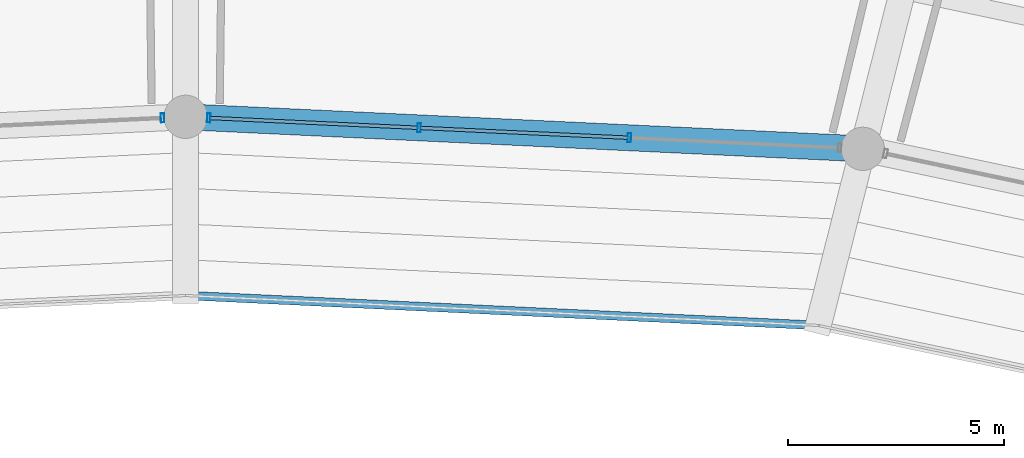
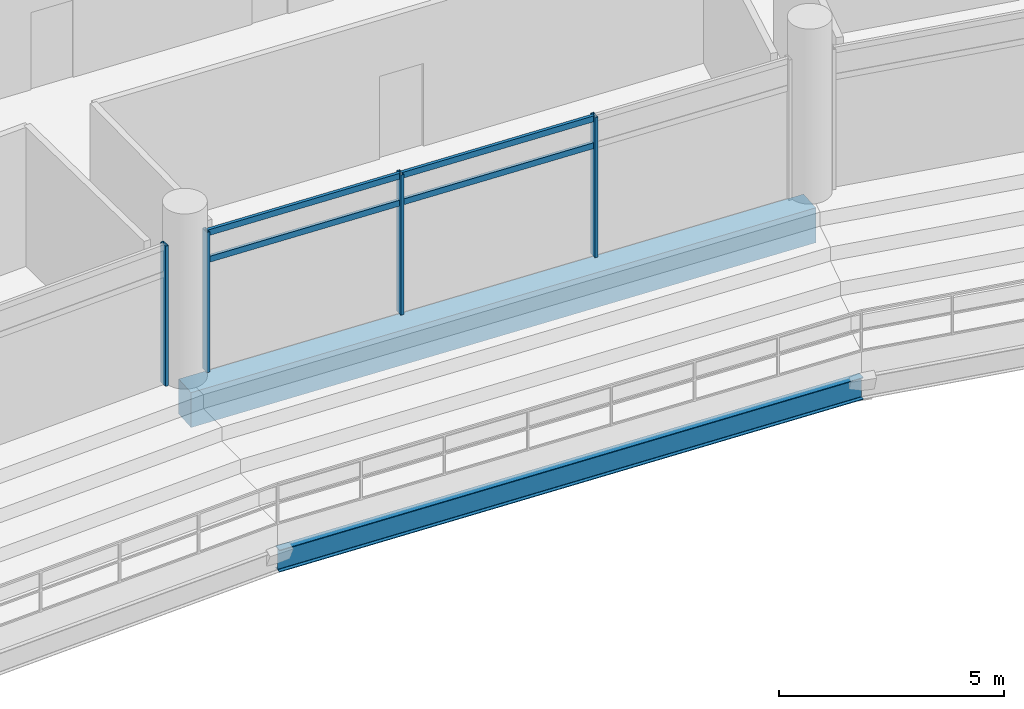
# One storey, part 95 of 171: 8 members, 2 beams, 2 elements without a shape of their own.
"""IFC4 building model written with IfcOpenShell, lengths in metres."""

from ifc_helpers import new_model, si_unit, direction, frame, origin, origin_2d, place, context, subcontext, project, spatial, rectangle, hollow_rectangle, i_section, extrude, material, layer, layer_set, material_profile, profile_set, type_object, element, aggregate, save


model = new_model("IFC4")

# Units and contexts
model_context = context("Model", 3, precision=1e-05, world=origin(), true_north=direction((0.0, 1.0)))
body_context = subcontext(model_context, "Body", "Model", "MODEL_VIEW")
ifc_project = project(units=[si_unit("LENGTHUNIT", "METRE"), si_unit("AREAUNIT", "SQUARE_METRE"), si_unit("VOLUMEUNIT", "CUBIC_METRE"), si_unit("PLANEANGLEUNIT", "RADIAN"), si_unit("MASSUNIT", "GRAM", prefix="KILO")], contexts=[model_context])

# Site, building, storey
site_placement = place(None, origin())
site = spatial("IfcSite", under=ifc_project, at=site_placement, CompositionType="ELEMENT")
building_placement = place(site_placement, origin())
building = spatial("IfcBuilding", under=site, at=building_placement, Name="Kazemori Nagisa Stadium", CompositionType="ELEMENT")
storey_placement = place(building_placement, frame((0.0, 0.0, 15.639892578125)))
storey = spatial("IfcBuildingStorey", under=building, at=storey_placement, Name="L03", CompositionType="ELEMENT", Elevation=15.639892578125)

# Beams
ifc_material_1 = material(Name="Concrete C40/50 (Fc42)", Category="concrete")
ifc_material_profile_1 = material_profile(ifc_material_1, rectangle(XDim=0.60009765625, YDim=0.949951171875, at=origin_2d()), Name="RC-BM-600x950")
ifc_profile_set_1 = profile_set([ifc_material_profile_1], Name="Concrete C40/50 (Fc42)")
beam_type_1 = type_object("IfcBeamType", Name="Beam_BG-RC600X950", PredefinedType="BEAM", material=ifc_profile_set_1)
beam_1_placement = place(storey_placement, frame((138.64208984375, 164.040283203125, -0.73486328125), z_axis=(-0.998883604512, 0.047239227746, 0.0), x_axis=(-0.047239227746, -0.998883604512, 0.0)))
element("IfcBeam", 1, at=beam_1_placement, inside=storey, type_object=beam_type_1, Name="Ring girder BG-RC600X950 L03 R1-07", PredefinedType="BEAM", context=body_context, shape_type="SweptSolid", body=[
    extrude(rectangle(XDim=0.60009765625, YDim=0.949951171875, at=origin_2d()), origin(), (0.0, 0.0, 1.0), 15.65966796875),
])
ifc_material_2 = material(Name="Steel SN490B", Category="steel")
ifc_material_profile_2 = material_profile(ifc_material_2, i_section(OverallWidth=0.199951171875, OverallDepth=0.60009765625, WebThickness=0.010986328125, FlangeThickness=0.01708984375, FilletRadius=0.012939453125, at=origin_2d()), Name="H-600x200x11x17")
ifc_profile_set_2 = profile_set([ifc_material_profile_2], Name="Steel SN490B")
beam_type_2 = type_object("IfcBeamType", Name="Beam_BS-H600", PredefinedType="SPANDREL", material=ifc_profile_set_2)
beam_2_placement = place(storey_placement, frame((137.61376953125, 159.9609375, -2.46484375), z_axis=(-0.99888345174, 0.047242458015, 0.0), x_axis=(-0.047242458015, -0.99888345174, 0.0)))
element("IfcBeam", 2, at=beam_2_placement, inside=storey, type_object=beam_type_2, Name="Club tier front edge beam 07", PredefinedType="SPANDREL", context=body_context, shape_type="SweptSolid", body=[
    extrude(i_section(OverallWidth=0.199951171875, OverallDepth=0.60009765625, WebThickness=0.010986328125, FlangeThickness=0.01708984375, FilletRadius=0.012939453125, at=origin_2d()), origin(), (0.0, 0.0, 1.0), 14.630126953125),
])

# Curtain wall, members
ifc_material_3 = material(Name="Anodised aluminium 6063-T5", Category="aluminium")
ifc_layer = layer(ifc_material_3, 0.2099609375, Name="Anodised aluminium 6063-T5", Category="aluminium")
ifc_layer_set = layer_set([ifc_layer], Name="Anodised aluminium 6063-T5")
curtain_wall_type = type_object("IfcCurtainWallType", Name="CW_L03B_73", PredefinedType="USERDEFINED", material=ifc_layer_set)
curtain_wall_1_placement = place(storey_placement, origin())
curtain_wall_1 = element("IfcCurtainWall", 3, at=curtain_wall_1_placement, inside=storey, type_object=curtain_wall_type, Name="Unitised curtain wall CW-L03B-73 L03", ObjectType="UNITISED CURTAIN WALL", PredefinedType="USERDEFINED")
ifc_material_4 = material(Name="Aluminium 6063-T5 anodised", Category="aluminium")
ifc_material_profile_3 = material_profile(ifc_material_4, hollow_rectangle(XDim=0.080078125, YDim=0.2099609375, WallThickness=0.0048828125, at=origin_2d()), Name="ALU-MULL-80x210x5")
ifc_profile_set_3 = profile_set([ifc_material_profile_3], Name="Aluminium 6063-T5 anodised")
member_type_1 = type_object("IfcMemberType", Name="Mullion_M02", PredefinedType="MULLION", material=ifc_profile_set_3)
member_1_placement = place(storey_placement, frame((133.25, 164.29541015625, 0.0), z_axis=(0.0, 0.0, 1.0), x_axis=(-0.998884022476, 0.047230388971, 0.0)))
member_1 = element("IfcMember", 4, at=member_1_placement, type_object=member_type_1, Name="Curtain wall mullion CW-L03B-73-M2", PredefinedType="MULLION", context=body_context, shape_type="SweptSolid", body=[
    extrude(hollow_rectangle(XDim=0.080078125, YDim=0.2099609375, WallThickness=0.0048828125, at=origin_2d()), origin(), (0.0, 0.0, 1.0), 3.81005859375),
])
member_2_placement = place(storey_placement, frame((128.39208984375, 164.525146484375, 0.0), z_axis=(0.0, 0.0, 1.0), x_axis=(-0.998884022476, 0.047230388971, 0.0)))
member_2 = element("IfcMember", 5, at=member_2_placement, type_object=member_type_1, Name="Curtain wall mullion CW-L03B-73-M3", PredefinedType="MULLION", context=body_context, shape_type="SweptSolid", body=[
    extrude(hollow_rectangle(XDim=0.080078125, YDim=0.2099609375, WallThickness=0.0048828125, at=origin_2d()), origin(), (0.0, 0.0, 1.0), 3.81005859375),
])
member_3_placement = place(storey_placement, frame((123.534423828125, 164.754638671875, 0.0), z_axis=(0.0, 0.0, 1.0), x_axis=(-0.998884022476, 0.047230388971, 0.0)))
member_3 = element("IfcMember", 6, at=member_3_placement, type_object=member_type_1, Name="Curtain wall mullion CW-L03B-73-M4", PredefinedType="MULLION", context=body_context, shape_type="SweptSolid", body=[
    extrude(hollow_rectangle(XDim=0.080078125, YDim=0.2099609375, WallThickness=0.0048828125, at=origin_2d()), origin(), (0.0, 0.0, 1.0), 3.81005859375),
])

# Curtain wall, member
curtain_wall_2_placement = place(storey_placement, origin())
curtain_wall_2 = element("IfcCurtainWall", 7, at=curtain_wall_2_placement, inside=storey, type_object=curtain_wall_type, Name="Unitised curtain wall CW-L03B-73 L03", ObjectType="UNITISED CURTAIN WALL", PredefinedType="USERDEFINED")
member_4_placement = place(storey_placement, frame((122.465576171875, 164.754638671875, 0.0), z_axis=(0.0, 0.0, 1.0), x_axis=(-0.998884022476, -0.047230388971, 0.0)))
member_4 = element("IfcMember", 8, at=member_4_placement, type_object=member_type_1, Name="Curtain wall mullion CW-L03B-73-M1", PredefinedType="MULLION", context=body_context, shape_type="SweptSolid", body=[
    extrude(hollow_rectangle(XDim=0.080078125, YDim=0.2099609375, WallThickness=0.0048828125, at=origin_2d()), origin(), (0.0, 0.0, 1.0), 3.81005859375),
])
aggregate(curtain_wall_2, [member_4])

# Member
ifc_material_profile_4 = material_profile(ifc_material_4, hollow_rectangle(XDim=0.080078125, YDim=0.159912109375, WallThickness=0.00390625, at=origin_2d()), Name="ALU-TRAN-80x160x4")
ifc_profile_set_4 = profile_set([ifc_material_profile_4], Name="Aluminium 6063-T5 anodised")
member_type_2 = type_object("IfcMemberType", Name="Transom_T02", PredefinedType="USERDEFINED", material=ifc_profile_set_4)
member_5_placement = place(storey_placement, frame((133.22998046875, 164.29638671875, 3.010009765625), z_axis=(-0.998884227355, 0.047226055748, 0.0), x_axis=(-0.047226055748, -0.998884227355, 0.0)))
member_5 = element("IfcMember", 9, at=member_5_placement, type_object=member_type_2, Name="Curtain wall transom CW-L03B-73-T2-mid", ObjectType="TRANSOM", PredefinedType="USERDEFINED", context=body_context, shape_type="SweptSolid", body=[
    extrude(hollow_rectangle(XDim=0.080078125, YDim=0.159912109375, WallThickness=0.00390625, at=origin_2d()), origin(), (0.0, 0.0, 1.0), 4.8232421875),
])

member_6_placement = place(storey_placement, frame((133.22998046875, 164.29638671875, 3.739990234375), z_axis=(-0.998884227355, 0.047226055748, 0.0), x_axis=(-0.047226055748, -0.998884227355, 0.0)))
member_6 = element("IfcMember", 10, at=member_6_placement, type_object=member_type_2, Name="Curtain wall transom CW-L03B-73-T2-head", ObjectType="TRANSOM", PredefinedType="USERDEFINED", context=body_context, shape_type="SweptSolid", body=[
    extrude(hollow_rectangle(XDim=0.080078125, YDim=0.159912109375, WallThickness=0.00390625, at=origin_2d()), origin(), (0.0, 0.0, 1.0), 4.8232421875),
])

member_7_placement = place(storey_placement, frame((128.372314453125, 164.52587890625, 3.010009765625), z_axis=(-0.99888183829, 0.047276560097, 0.0), x_axis=(-0.047276560097, -0.99888183829, 0.0)))
member_7 = element("IfcMember", 11, at=member_7_placement, type_object=member_type_2, Name="Curtain wall transom CW-L03B-73-T3-mid", ObjectType="TRANSOM", PredefinedType="USERDEFINED", context=body_context, shape_type="SweptSolid", body=[
    extrude(hollow_rectangle(XDim=0.080078125, YDim=0.159912109375, WallThickness=0.00390625, at=origin_2d()), origin(), (0.0, 0.0, 1.0), 4.8232421875),
])

member_8_placement = place(storey_placement, frame((128.372314453125, 164.52587890625, 3.739990234375), z_axis=(-0.99888183829, 0.047276560097, 0.0), x_axis=(-0.047276560097, -0.99888183829, 0.0)))
member_8 = element("IfcMember", 12, at=member_8_placement, type_object=member_type_2, Name="Curtain wall transom CW-L03B-73-T3-head", ObjectType="TRANSOM", PredefinedType="USERDEFINED", context=body_context, shape_type="SweptSolid", body=[
    extrude(hollow_rectangle(XDim=0.080078125, YDim=0.159912109375, WallThickness=0.00390625, at=origin_2d()), origin(), (0.0, 0.0, 1.0), 4.8232421875),
])

aggregate(curtain_wall_1, [member_1, member_2, member_3, member_5, member_6, member_7, member_8])

save(model, "model.ifc")
